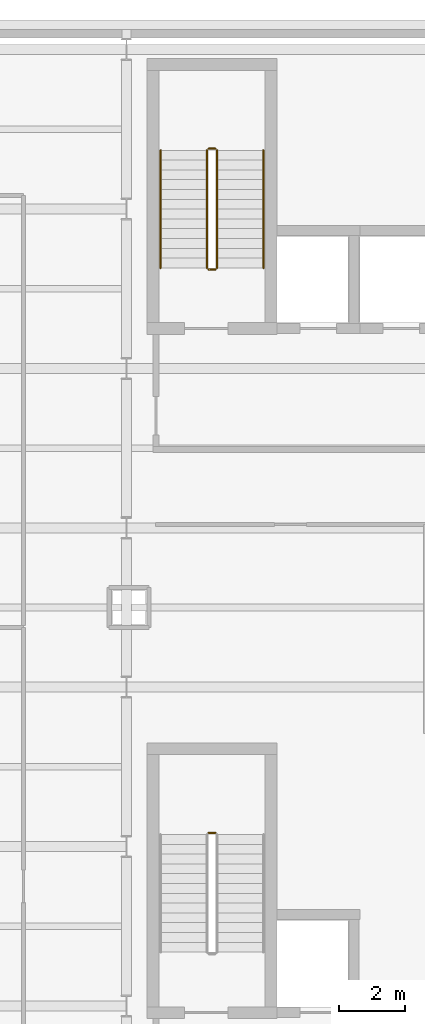
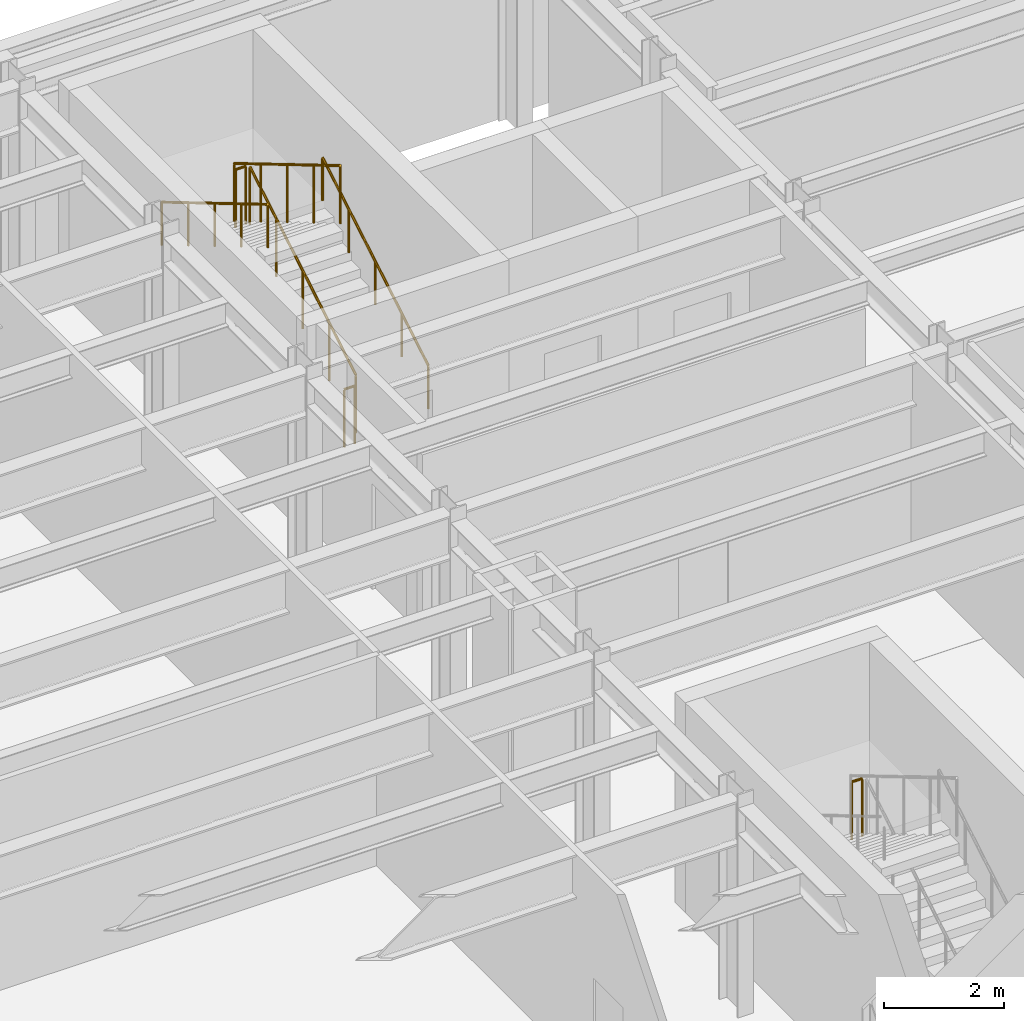
# One storey, part 29 of 32: 7 railings.
"""IFC4 building model written with IfcOpenShell, lengths in metres."""

from ifc_helpers import new_model, si_unit, direction, frame, origin, origin_2d, place, context, subcontext, project, spatial, circle, extrude, material, layer, layer_set, type_object, element, save


model = new_model("IFC4")

# Units and contexts
model_context = context("Model", 3, precision=1e-05, world=origin(), true_north=direction((0.0, 1.0)))
body_context = subcontext(model_context, "Body", "Model", "MODEL_VIEW")
ifc_project = project(units=[si_unit("LENGTHUNIT", "METRE"), si_unit("AREAUNIT", "SQUARE_METRE"), si_unit("VOLUMEUNIT", "CUBIC_METRE"), si_unit("PLANEANGLEUNIT", "RADIAN"), si_unit("MASSUNIT", "GRAM", prefix="KILO")], contexts=[model_context])

# Site, building, storey
site_placement = place(None, origin())
site = spatial("IfcSite", under=ifc_project, at=site_placement, CompositionType="ELEMENT")
building_placement = place(site_placement, origin())
building = spatial("IfcBuilding", under=site, at=building_placement, Name="Nordkorset Police Headquarters", CompositionType="ELEMENT")
storey_placement = place(building_placement, frame((0.0, 0.0, -4.550048828125)))
storey = spatial("IfcBuildingStorey", under=building, at=storey_placement, Name="B01", CompositionType="ELEMENT", Elevation=-4.550048828125)

# Railings
ifc_material_1 = material(Name="Steel S355J2", Category="steel")
ifc_layer_1 = layer(ifc_material_1, 0.048095703125, Name="Steel S355J2")
ifc_layer_set_1 = layer_set([ifc_layer_1], Name="Steel S355J2")
railing_type_1 = type_object("IfcRailingType", Name="Railing_Handrail_900", PredefinedType="HANDRAIL", material=ifc_layer_set_1)
railing_1_placement = place(storey_placement, frame((23.324951171875, 110.22509765625, 0.175048828125)))
element("IfcRailing", 1, at=railing_1_placement, inside=storey, type_object=railing_type_1, Name="B01 ST-01 stair handrail 1", PredefinedType="HANDRAIL", context=body_context, shape_type="SweptSolid", body=[
    extrude(circle(Radius=0.02392578125, at=origin_2d()), frame((0.0, 0.0, 0.8759765625), z_axis=(0.0, 0.860031271696, 0.510241326928), x_axis=(-1.0, 0.0, 0.0)), (0.0, 0.0, 1.0), 4.115966796875),
    extrude(circle(Radius=0.02099609375, at=origin_2d()), origin(), (0.0, 0.0, 1.0), 0.851806640625),
    extrude(circle(Radius=0.02099609375, at=origin_2d()), frame((0.0, 0.885009765625, 0.52490234375)), (0.0, 0.0, 1.0), 0.851806640625),
    extrude(circle(Radius=0.02099609375, at=origin_2d()), frame((0.0, 1.77001953125, 1.050048828125)), (0.0, 0.0, 1.0), 0.851806640625),
    extrude(circle(Radius=0.02099609375, at=origin_2d()), frame((0.0, 2.65478515625, 1.5751953125)), (0.0, 0.0, 1.0), 0.851806640625),
    extrude(circle(Radius=0.02099609375, at=origin_2d()), frame((0.0, 3.539794921875, 2.10009765625)), (0.0, 0.0, 1.0), 0.851806640625),
])
railing_2_placement = place(storey_placement, frame((20.22509765625, 113.764892578125, 2.449951171875)))
element("IfcRailing", 2, at=railing_2_placement, inside=storey, type_object=railing_type_1, Name="B01 ST-01 stair handrail 2", PredefinedType="HANDRAIL", context=body_context, shape_type="SweptSolid", body=[
    extrude(circle(Radius=0.02392578125, at=origin_2d()), frame((0.0, 0.0, 0.8759765625), z_axis=(0.0, -0.860031271696, 0.510241326928), x_axis=(1.0, 0.0, 0.0)), (0.0, 0.0, 1.0), 4.115966796875),
    extrude(circle(Radius=0.02099609375, at=origin_2d()), origin(), (0.0, 0.0, 1.0), 0.851806640625),
    extrude(circle(Radius=0.02099609375, at=origin_2d()), frame((0.0, -0.885009765625, 0.52490234375)), (0.0, 0.0, 1.0), 0.851806640625),
    extrude(circle(Radius=0.02099609375, at=origin_2d()), frame((0.0, -1.77001953125, 1.050048828125)), (0.0, 0.0, 1.0), 0.851806640625),
    extrude(circle(Radius=0.02099609375, at=origin_2d()), frame((0.0, -2.65478515625, 1.5751953125)), (0.0, 0.0, 1.0), 0.851806640625),
    extrude(circle(Radius=0.02099609375, at=origin_2d()), frame((0.0, -3.539794921875, 2.10009765625)), (0.0, 0.0, 1.0), 0.851806640625),
])
ifc_material_2 = material(Name="Steel S355J2", Category="steel")
ifc_layer_2 = layer(ifc_material_2, 0.050048828125, Name="Steel S355J2")
ifc_layer_set_2 = layer_set([ifc_layer_2], Name="Steel S355J2")
railing_type_2 = type_object("IfcRailingType", Name="Railing_StairGuard_1200", PredefinedType="GUARDRAIL", material=ifc_layer_set_2)
railing_3_placement = place(storey_placement, frame((21.925048828125, 110.22509765625, 0.175048828125)))
element("IfcRailing", 3, at=railing_3_placement, inside=storey, type_object=railing_type_2, Name="B01 ST-01 stair guard 1", PredefinedType="GUARDRAIL", context=body_context, shape_type="SweptSolid", body=[
    extrude(circle(Radius=0.02392578125, at=origin_2d()), frame((0.0, 0.0, 1.17578125), z_axis=(0.0, 0.860031271696, 0.510241326928), x_axis=(-1.0, 0.0, 0.0)), (0.0, 0.0, 1.0), 4.115966796875),
    extrude(circle(Radius=0.02099609375, at=origin_2d()), origin(), (0.0, 0.0, 1.0), 1.15185546875),
    extrude(circle(Radius=0.02099609375, at=origin_2d()), frame((0.0, 0.885009765625, 0.52490234375)), (0.0, 0.0, 1.0), 1.15185546875),
    extrude(circle(Radius=0.02099609375, at=origin_2d()), frame((0.0, 1.77001953125, 1.050048828125)), (0.0, 0.0, 1.0), 1.15185546875),
    extrude(circle(Radius=0.02099609375, at=origin_2d()), frame((0.0, 2.65478515625, 1.5751953125)), (0.0, 0.0, 1.0), 1.15185546875),
    extrude(circle(Radius=0.02099609375, at=origin_2d()), frame((0.0, 3.539794921875, 2.10009765625)), (0.0, 0.0, 1.0), 1.15185546875),
])
railing_4_placement = place(storey_placement, frame((21.875, 113.81494140625, 2.275146484375)))
element("IfcRailing", 4, at=railing_4_placement, inside=storey, type_object=railing_type_2, Name="B01 ST-01 stair guard 2", PredefinedType="GUARDRAIL", context=body_context, shape_type="SweptSolid", body=[
    extrude(circle(Radius=0.02392578125, at=origin_2d()), frame((0.0, 0.0, 1.17578125), z_axis=(-1.0, 0.0, 0.0), x_axis=(0.0, -1.0, 0.0)), (0.0, 0.0, 1.0), 0.199951171875),
    extrude(circle(Radius=0.02099609375, at=origin_2d()), origin(), (0.0, 0.0, 1.0), 1.15185546875),
    extrude(circle(Radius=0.02099609375, at=origin_2d()), frame((-0.199951171875, 0.0, 0.0)), (0.0, 0.0, 1.0), 1.15185546875),
])
railing_5_placement = place(storey_placement, frame((21.625, 113.764892578125, 2.449951171875)))
element("IfcRailing", 5, at=railing_5_placement, inside=storey, type_object=railing_type_2, Name="B01 ST-01 stair guard 3", PredefinedType="GUARDRAIL", context=body_context, shape_type="SweptSolid", body=[
    extrude(circle(Radius=0.02392578125, at=origin_2d()), frame((0.0, 0.0, 1.17578125), z_axis=(0.0, -0.860031271696, 0.510241326928), x_axis=(1.0, 0.0, 0.0)), (0.0, 0.0, 1.0), 4.115966796875),
    extrude(circle(Radius=0.02099609375, at=origin_2d()), origin(), (0.0, 0.0, 1.0), 1.15185546875),
    extrude(circle(Radius=0.02099609375, at=origin_2d()), frame((0.0, -0.885009765625, 0.52490234375)), (0.0, 0.0, 1.0), 1.15185546875),
    extrude(circle(Radius=0.02099609375, at=origin_2d()), frame((0.0, -1.77001953125, 1.050048828125)), (0.0, 0.0, 1.0), 1.15185546875),
    extrude(circle(Radius=0.02099609375, at=origin_2d()), frame((0.0, -2.65478515625, 1.5751953125)), (0.0, 0.0, 1.0), 1.15185546875),
    extrude(circle(Radius=0.02099609375, at=origin_2d()), frame((0.0, -3.539794921875, 2.10009765625)), (0.0, 0.0, 1.0), 1.15185546875),
])
for number, where, name in (
    (6, (21.875, 110.175048828125, 0.0), "B01 ST-01 stair guard 4"),
    (7, (21.875, 93.215087890625, 2.275146484375), "B01 ST-03 stair guard 2"),
):
    element("IfcRailing", number, at=place(storey_placement, frame(where)), inside=storey, type_object=railing_type_2, Name=name, PredefinedType="GUARDRAIL", context=body_context, shape_type="SweptSolid", body=[
        extrude(circle(Radius=0.02392578125, at=origin_2d()), frame((0.0, 0.0, 1.17578125), z_axis=(-1.0, 0.0, 0.0), x_axis=(0.0, -1.0, 0.0)), (0.0, 0.0, 1.0), 0.199951171875),
        extrude(circle(Radius=0.02099609375, at=origin_2d()), origin(), (0.0, 0.0, 1.0), 1.15185546875),
        extrude(circle(Radius=0.02099609375, at=origin_2d()), frame((-0.199951171875, 0.0, 0.0)), (0.0, 0.0, 1.0), 1.15185546875),
    ])

save(model, "model.ifc")
